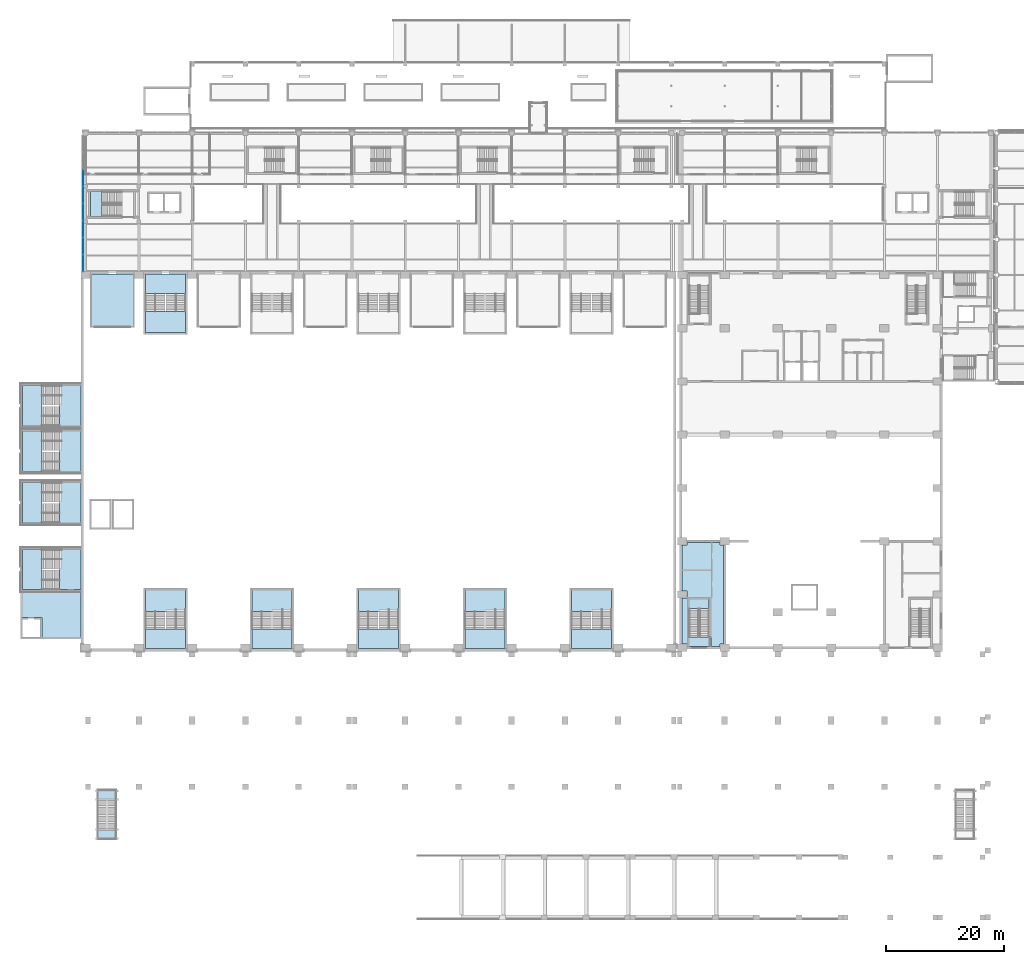
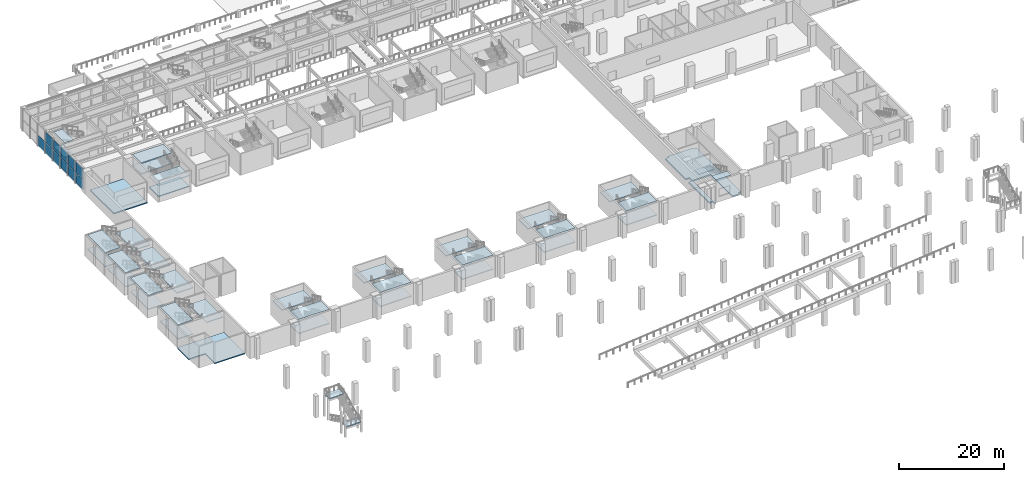
# One storey, part 27 of 67: 40 slabs, 11 plates, 24 elements without a shape of their own.
"""IFC4 building model written with IfcOpenShell, lengths in metres."""

from ifc_helpers import new_model, si_unit, direction, frame, origin, origin_2d, place, context, subcontext, project, spatial, polyline, rectangle, outline, extrude, material, layer, layer_set, type_object, element, aggregate, save


model = new_model("IFC4")

# Units and contexts
model_context = context("Model", 3, precision=1e-05, world=origin(), true_north=direction((0.0, 1.0)))
body_context = subcontext(model_context, "Body", "Model", "MODEL_VIEW")
ifc_project = project(units=[si_unit("LENGTHUNIT", "METRE"), si_unit("AREAUNIT", "SQUARE_METRE"), si_unit("VOLUMEUNIT", "CUBIC_METRE"), si_unit("PLANEANGLEUNIT", "RADIAN"), si_unit("MASSUNIT", "GRAM", prefix="KILO")], contexts=[model_context])

# Site, building, storey
site_placement = place(None, origin())
site = spatial("IfcSite", under=ifc_project, at=site_placement, CompositionType="ELEMENT")
building_placement = place(site_placement, origin())
building = spatial("IfcBuilding", under=site, at=building_placement, Name="Aravalli Gate Trade Fair Centre", CompositionType="ELEMENT")
storey_placement = place(building_placement, frame((0.0, 0.0, 5.0)))
storey = spatial("IfcBuildingStorey", under=building, at=storey_placement, Name="L01", CompositionType="ELEMENT", Elevation=5.0)

# Stair, slabs
ifc_material_1 = material(Name="Concrete M30", Category="concrete")
stair_type_1 = type_object("IfcStairType", Name="Concourse stair, 2000 wide", PredefinedType="HALF_TURN_STAIR", material=ifc_material_1)
stair_1_placement = place(storey_placement, origin())
stair_1 = element("IfcStair", 1, at=stair_1_placement, inside=storey, type_object=stair_type_1, Name="Stair WS L01", PredefinedType="HALF_TURN_STAIR")
ifc_layer_1 = layer(ifc_material_1, 0.199951171875)
ifc_layer_set_1 = layer_set([ifc_layer_1], Name="Concrete M30")
slab_type_1 = type_object("IfcSlabType", Name="Concourse stair landing 200", PredefinedType="LANDING", material=ifc_layer_set_1)
slab_1_placement = place(storey_placement, frame((0.0, 0.0, 1.466796875)))
slab_1 = element("IfcSlab", 2, at=slab_1_placement, type_object=slab_type_1, Name="STWS-L01 landing 1", PredefinedType="LANDING", context=body_context, shape_type="SweptSolid", body=[
    extrude(outline(polyline([(6.800048828125, 118.89990234375), (8.800048828125, 118.89990234375), (8.800048828125, 123.10009765625), (6.800048828125, 123.10009765625), (6.800048828125, 118.89990234375)])), origin(), (0.0, 0.0, 1.0), 0.199951171875),
])
slab_2_placement = place(storey_placement, frame((0.0, 0.0, 4.800048828125)))
slab_2 = element("IfcSlab", 3, at=slab_2_placement, type_object=slab_type_1, Name="STWS-L01 landing 3", PredefinedType="LANDING", context=body_context, shape_type="SweptSolid", body=[
    extrude(outline(polyline([(6.800048828125, 118.89990234375), (8.800048828125, 118.89990234375), (8.800048828125, 123.10009765625), (6.800048828125, 123.10009765625), (6.800048828125, 118.89990234375)])), origin(), (0.0, 0.0, 1.0), 0.199951171875),
])
aggregate(stair_1, [slab_1, slab_2])

ifc_material_2 = material(Name="Concrete M45", Category="concrete")
stair_type_2 = type_object("IfcStairType", Name="Congress exit stair", PredefinedType="HALF_TURN_STAIR", material=ifc_material_2)
stair_2_placement = place(storey_placement, origin())
stair_2 = element("IfcStair", 4, at=stair_2_placement, inside=storey, type_object=stair_type_2, Name="Stage Stair West L01", PredefinedType="HALF_TURN_STAIR")
ifc_layer_2 = layer(ifc_material_2, 0.199951171875)
ifc_layer_set_2 = layer_set([ifc_layer_2], Name="Concrete M45")
slab_type_2 = type_object("IfcSlabType", Name="Congress exit stair landing RC 200", PredefinedType="LANDING", material=ifc_layer_set_2)
slab_3_placement = place(storey_placement, frame((0.0, 0.0, 2.300048828125)))
slab_3 = element("IfcSlab", 5, at=slab_3_placement, type_object=slab_type_2, Name="GX1 landing 1", PredefinedType="LANDING", context=body_context, shape_type="SweptSolid", body=[
    extrude(outline(polyline([(108.0, 52.60009765625), (111.39990234375, 52.60009765625), (111.39990234375, 54.199951171875), (108.0, 54.199951171875), (108.0, 52.60009765625)])), origin(), (0.0, 0.0, 1.0), 0.199951171875),
])
slab_4_placement = place(storey_placement, frame((0.0, 0.0, 4.800048828125)))
slab_4 = element("IfcSlab", 6, at=slab_4_placement, type_object=slab_type_2, Name="GX1 landing 2", PredefinedType="LANDING", context=body_context, shape_type="SweptSolid", body=[
    extrude(outline(polyline([(108.0, 46.199951171875), (111.39990234375, 46.199951171875), (111.39990234375, 47.800048828125), (108.0, 47.800048828125), (108.0, 46.199951171875)])), origin(), (0.0, 0.0, 1.0), 0.199951171875),
])
aggregate(stair_2, [slab_3, slab_4])

# Slab
ifc_material_3 = material(Name="Concrete M40", Category="concrete")
ifc_layer_3 = layer(ifc_material_3, 0.300048828125)
ifc_layer_set_3 = layer_set([ifc_layer_3], Name="Concrete M40")
slab_type_3 = type_object("IfcSlabType", Name="Congress floor slab RC 300", PredefinedType="FLOOR", material=ifc_layer_set_3)
slab_5_placement = place(storey_placement, frame((0.0, 0.0, -0.300048828125)))
element("IfcSlab", 7, at=slab_5_placement, inside=storey, type_object=slab_type_3, Name="Stage wing floor L01 W", PredefinedType="FLOOR", context=body_context, shape_type="SweptSolid", body=[
    extrude(outline(polyline([(113.199951171875, 46.60009765625), (113.199951171875, 46.199951171875), (111.699951171875, 46.199951171875), (111.699951171875, 54.5), (107.699951171875, 54.5), (107.699951171875, 46.199951171875), (107.60009765625, 46.199951171875), (107.60009765625, 46.60009765625), (106.800048828125, 46.60009765625), (106.800048828125, 54.39990234375), (107.60009765625, 54.39990234375), (107.60009765625, 55.60009765625), (106.800048828125, 55.60009765625), (106.800048828125, 63.39990234375), (107.60009765625, 63.39990234375), (107.60009765625, 63.800048828125), (113.199951171875, 63.800048828125), (113.199951171875, 63.39990234375), (113.800048828125, 63.39990234375), (113.800048828125, 46.60009765625), (113.199951171875, 46.60009765625)])), origin(), (0.0, 0.0, 1.0), 0.300048828125),
])

# Curtain wall, plates
ifc_material_4 = material(Name="Aluminium and glass", Category="aluminium")
curtain_wall_type = type_object("IfcCurtainWallType", Name="Curtain wall 3000 module, tall", PredefinedType="NOTDEFINED", material=ifc_material_4)
curtain_wall_placement = place(storey_placement, origin())
curtain_wall = element("IfcCurtainWall", 8, at=curtain_wall_placement, inside=storey, type_object=curtain_wall_type, Name="Curtain wall west end L01", PredefinedType="NOTDEFINED")
ifc_material_5 = material(Name="Glass, double glazed", Category="glass")
ifc_layer_4 = layer(ifc_material_5, 0.028076171875)
ifc_layer_set_4 = layer_set([ifc_layer_4], Name="Glass, double glazed")
plate_type = type_object("IfcPlateType", Name="Curtain wall panel, double glazed 28", PredefinedType="CURTAIN_PANEL", material=ifc_layer_set_4)
plate_1_placement = place(storey_placement, frame((5.574951171875, 111.052490234375, 0.06005859375), z_axis=(0.0, 0.0, 1.0), x_axis=(0.0, 1.0, 0.0)))
plate_1 = element("IfcPlate", 9, at=plate_1_placement, type_object=plate_type, Name="CW3 panel 1.1", PredefinedType="CURTAIN_PANEL", context=body_context, shape_type="SweptSolid", body=[
    extrude(rectangle(XDim=2.784912109375, YDim=0.028076171875, at=origin_2d()), origin(), (0.0, 0.0, 1.0), 2.409912109375),
])
plate_2_placement = place(storey_placement, frame((5.574951171875, 111.052490234375, 2.5302734375), z_axis=(0.0, 0.0, 1.0), x_axis=(0.0, 1.0, 0.0)))
plate_2 = element("IfcPlate", 10, at=plate_2_placement, type_object=plate_type, Name="CW3 panel 1.2", PredefinedType="CURTAIN_PANEL", context=body_context, shape_type="SweptSolid", body=[
    extrude(rectangle(XDim=2.784912109375, YDim=0.028076171875, at=origin_2d()), origin(), (0.0, 0.0, 1.0), 2.409912109375),
])
plate_3_placement = place(storey_placement, frame((5.574951171875, 113.91259765625, 0.06005859375), z_axis=(0.0, 0.0, 1.0), x_axis=(0.0, 1.0, 0.0)))
plate_3 = element("IfcPlate", 11, at=plate_3_placement, type_object=plate_type, Name="CW3 panel 2.1", PredefinedType="CURTAIN_PANEL", context=body_context, shape_type="SweptSolid", body=[
    extrude(rectangle(XDim=2.81494140625, YDim=0.028076171875, at=origin_2d()), origin(), (0.0, 0.0, 1.0), 2.409912109375),
])
plate_4_placement = place(storey_placement, frame((5.574951171875, 113.91259765625, 2.5302734375), z_axis=(0.0, 0.0, 1.0), x_axis=(0.0, 1.0, 0.0)))
plate_4 = element("IfcPlate", 12, at=plate_4_placement, type_object=plate_type, Name="CW3 panel 2.2", PredefinedType="CURTAIN_PANEL", context=body_context, shape_type="SweptSolid", body=[
    extrude(rectangle(XDim=2.81494140625, YDim=0.028076171875, at=origin_2d()), origin(), (0.0, 0.0, 1.0), 2.409912109375),
])
plate_5_placement = place(storey_placement, frame((5.574951171875, 116.78759765625, 0.06005859375), z_axis=(0.0, 0.0, 1.0), x_axis=(0.0, 1.0, 0.0)))
plate_5 = element("IfcPlate", 13, at=plate_5_placement, type_object=plate_type, Name="CW3 panel 3.1", PredefinedType="CURTAIN_PANEL", context=body_context, shape_type="SweptSolid", body=[
    extrude(rectangle(XDim=2.81494140625, YDim=0.028076171875, at=origin_2d()), origin(), (0.0, 0.0, 1.0), 2.409912109375),
])
plate_6_placement = place(storey_placement, frame((5.574951171875, 116.78759765625, 2.5302734375), z_axis=(0.0, 0.0, 1.0), x_axis=(0.0, 1.0, 0.0)))
plate_6 = element("IfcPlate", 14, at=plate_6_placement, type_object=plate_type, Name="CW3 panel 3.2", PredefinedType="CURTAIN_PANEL", context=body_context, shape_type="SweptSolid", body=[
    extrude(rectangle(XDim=2.81494140625, YDim=0.028076171875, at=origin_2d()), origin(), (0.0, 0.0, 1.0), 2.409912109375),
])
plate_7_placement = place(storey_placement, frame((5.574951171875, 119.66259765625, 0.06005859375), z_axis=(0.0, 0.0, 1.0), x_axis=(0.0, 1.0, 0.0)))
plate_7 = element("IfcPlate", 15, at=plate_7_placement, type_object=plate_type, Name="CW3 panel 4.1", PredefinedType="CURTAIN_PANEL", context=body_context, shape_type="SweptSolid", body=[
    extrude(rectangle(XDim=2.81494140625, YDim=0.028076171875, at=origin_2d()), origin(), (0.0, 0.0, 1.0), 2.409912109375),
])
plate_8_placement = place(storey_placement, frame((5.574951171875, 119.66259765625, 2.5302734375), z_axis=(0.0, 0.0, 1.0), x_axis=(0.0, 1.0, 0.0)))
plate_8 = element("IfcPlate", 16, at=plate_8_placement, type_object=plate_type, Name="CW3 panel 4.2", PredefinedType="CURTAIN_PANEL", context=body_context, shape_type="SweptSolid", body=[
    extrude(rectangle(XDim=2.81494140625, YDim=0.028076171875, at=origin_2d()), origin(), (0.0, 0.0, 1.0), 2.409912109375),
])
plate_9_placement = place(storey_placement, frame((5.574951171875, 122.53759765625, 0.06005859375), z_axis=(0.0, 0.0, 1.0), x_axis=(0.0, 1.0, 0.0)))
plate_9 = element("IfcPlate", 17, at=plate_9_placement, type_object=plate_type, Name="CW3 panel 5.1", PredefinedType="CURTAIN_PANEL", context=body_context, shape_type="SweptSolid", body=[
    extrude(rectangle(XDim=2.81494140625, YDim=0.028076171875, at=origin_2d()), origin(), (0.0, 0.0, 1.0), 2.409912109375),
])
plate_10_placement = place(storey_placement, frame((5.574951171875, 122.53759765625, 2.5302734375), z_axis=(0.0, 0.0, 1.0), x_axis=(0.0, 1.0, 0.0)))
plate_10 = element("IfcPlate", 18, at=plate_10_placement, type_object=plate_type, Name="CW3 panel 5.2", PredefinedType="CURTAIN_PANEL", context=body_context, shape_type="SweptSolid", body=[
    extrude(rectangle(XDim=2.81494140625, YDim=0.028076171875, at=origin_2d()), origin(), (0.0, 0.0, 1.0), 2.409912109375),
])
plate_11_placement = place(storey_placement, frame((5.574951171875, 125.41259765625, 0.06005859375), z_axis=(0.0, 0.0, 1.0), x_axis=(0.0, 1.0, 0.0)))
plate_11 = element("IfcPlate", 19, at=plate_11_placement, type_object=plate_type, Name="CW3 panel 6.1", PredefinedType="CURTAIN_PANEL", context=body_context, shape_type="SweptSolid", body=[
    extrude(rectangle(XDim=2.81494140625, YDim=0.028076171875, at=origin_2d()), origin(), (0.0, 0.0, 1.0), 2.409912109375),
])
aggregate(curtain_wall, [plate_1, plate_2, plate_3, plate_4, plate_5, plate_6, plate_7, plate_8, plate_9, plate_10, plate_11])

# Slab
ifc_layer_5 = layer(ifc_material_3, 0.25)
ifc_layer_set_5 = layer_set([ifc_layer_5], Name="Concrete M40")
slab_type_4 = type_object("IfcSlabType", Name="Firefighting lobby floor slab RC 250", PredefinedType="FLOOR", material=ifc_layer_set_5)
slab_6_placement = place(storey_placement, frame((0.0, 0.0, -0.25)))
element("IfcSlab", 20, at=slab_6_placement, inside=storey, type_object=slab_type_4, Name="Firefighting lobby floor L01", PredefinedType="FLOOR", context=body_context, shape_type="SweptSolid", body=[
    extrude(outline(polyline([(-5.0, 55.5), (5.199951171875, 55.5), (5.199951171875, 47.5), (-1.39990234375, 47.5), (-1.39990234375, 51.10009765625), (-5.0, 51.10009765625), (-5.0, 55.5)])), origin(), (0.0, 0.0, 1.0), 0.25),
])

# Stair, slabs
stair_type_3 = type_object("IfcStairType", Name="Hall exit stair, three flights", PredefinedType="HALF_TURN_STAIR", material=ifc_material_3)
stair_3_placement = place(storey_placement, origin())
stair_3 = element("IfcStair", 21, at=stair_3_placement, inside=storey, type_object=stair_type_3, Name="Exit stair ST-S02 lane A L01", PredefinedType="HALF_TURN_STAIR")
ifc_layer_6 = layer(ifc_material_3, 0.199951171875)
ifc_layer_set_6 = layer_set([ifc_layer_6], Name="Concrete M40")
slab_type_5 = type_object("IfcSlabType", Name="Hall exit stair landing RC 200", PredefinedType="LANDING", material=ifc_layer_set_6)
slab_7_placement = place(storey_placement, frame((0.0, 0.0, 1.564697265625)))
slab_7 = element("IfcSlab", 22, at=slab_7_placement, type_object=slab_type_5, Name="ST-S02A landing 1", PredefinedType="LANDING", context=body_context, shape_type="SweptSolid", body=[
    extrude(outline(polyline([(16.10009765625, 45.85009765625), (22.89990234375, 45.85009765625), (22.89990234375, 49.14990234375), (16.10009765625, 49.14990234375), (16.10009765625, 45.85009765625)])), origin(), (0.0, 0.0, 1.0), 0.199951171875),
])
slab_8_placement = place(storey_placement, frame((0.0, 0.0, 4.800048828125)))
slab_8 = element("IfcSlab", 23, at=slab_8_placement, type_object=slab_type_5, Name="ST-S02A landing 2", PredefinedType="LANDING", context=body_context, shape_type="SweptSolid", body=[
    extrude(outline(polyline([(16.10009765625, 45.85009765625), (22.89990234375, 45.85009765625), (22.89990234375, 49.14990234375), (16.10009765625, 49.14990234375), (16.10009765625, 45.85009765625)])), origin(), (0.0, 0.0, 1.0), 0.199951171875),
])
aggregate(stair_3, [slab_7, slab_8])

# Stair, slab
stair_4_placement = place(storey_placement, origin())
stair_4 = element("IfcStair", 24, at=stair_4_placement, inside=storey, type_object=stair_type_3, Name="Exit stair ST-S02 lane B L01", PredefinedType="HALF_TURN_STAIR")
slab_9_placement = place(storey_placement, frame((0.0, 0.0, 3.182373046875)))
slab_9 = element("IfcSlab", 25, at=slab_9_placement, type_object=slab_type_5, Name="ST-S02B landing 1", PredefinedType="LANDING", context=body_context, shape_type="SweptSolid", body=[
    extrude(outline(polyline([(16.10009765625, 52.14990234375), (22.89990234375, 52.14990234375), (22.89990234375, 55.75), (16.10009765625, 55.75), (16.10009765625, 52.14990234375)])), origin(), (0.0, 0.0, 1.0), 0.199951171875),
])
aggregate(stair_4, [slab_9])

# Stair, slabs
stair_5_placement = place(storey_placement, origin())
stair_5 = element("IfcStair", 26, at=stair_5_placement, inside=storey, type_object=stair_type_3, Name="Exit stair ST-S04 lane A L01", PredefinedType="HALF_TURN_STAIR")
slab_10_placement = place(storey_placement, frame((0.0, 0.0, 1.564697265625)))
slab_10 = element("IfcSlab", 27, at=slab_10_placement, type_object=slab_type_5, Name="ST-S04A landing 1", PredefinedType="LANDING", context=body_context, shape_type="SweptSolid", body=[
    extrude(outline(polyline([(34.10009765625, 45.85009765625), (40.89990234375, 45.85009765625), (40.89990234375, 49.14990234375), (34.10009765625, 49.14990234375), (34.10009765625, 45.85009765625)])), origin(), (0.0, 0.0, 1.0), 0.199951171875),
])
slab_11_placement = place(storey_placement, frame((0.0, 0.0, 4.800048828125)))
slab_11 = element("IfcSlab", 28, at=slab_11_placement, type_object=slab_type_5, Name="ST-S04A landing 2", PredefinedType="LANDING", context=body_context, shape_type="SweptSolid", body=[
    extrude(outline(polyline([(34.10009765625, 45.85009765625), (40.89990234375, 45.85009765625), (40.89990234375, 49.14990234375), (34.10009765625, 49.14990234375), (34.10009765625, 45.85009765625)])), origin(), (0.0, 0.0, 1.0), 0.199951171875),
])
aggregate(stair_5, [slab_10, slab_11])

# Stair, slab
stair_6_placement = place(storey_placement, origin())
stair_6 = element("IfcStair", 29, at=stair_6_placement, inside=storey, type_object=stair_type_3, Name="Exit stair ST-S04 lane B L01", PredefinedType="HALF_TURN_STAIR")
slab_12_placement = place(storey_placement, frame((0.0, 0.0, 3.182373046875)))
slab_12 = element("IfcSlab", 30, at=slab_12_placement, type_object=slab_type_5, Name="ST-S04B landing 1", PredefinedType="LANDING", context=body_context, shape_type="SweptSolid", body=[
    extrude(outline(polyline([(34.10009765625, 52.14990234375), (40.89990234375, 52.14990234375), (40.89990234375, 55.75), (34.10009765625, 55.75), (34.10009765625, 52.14990234375)])), origin(), (0.0, 0.0, 1.0), 0.199951171875),
])
aggregate(stair_6, [slab_12])

# Stair, slabs
stair_7_placement = place(storey_placement, origin())
stair_7 = element("IfcStair", 31, at=stair_7_placement, inside=storey, type_object=stair_type_3, Name="Exit stair ST-S06 lane A L01", PredefinedType="HALF_TURN_STAIR")
slab_13_placement = place(storey_placement, frame((0.0, 0.0, 1.564697265625)))
slab_13 = element("IfcSlab", 32, at=slab_13_placement, type_object=slab_type_5, Name="ST-S06A landing 1", PredefinedType="LANDING", context=body_context, shape_type="SweptSolid", body=[
    extrude(outline(polyline([(52.10009765625, 45.85009765625), (58.89990234375, 45.85009765625), (58.89990234375, 49.14990234375), (52.10009765625, 49.14990234375), (52.10009765625, 45.85009765625)])), origin(), (0.0, 0.0, 1.0), 0.199951171875),
])
slab_14_placement = place(storey_placement, frame((0.0, 0.0, 4.800048828125)))
slab_14 = element("IfcSlab", 33, at=slab_14_placement, type_object=slab_type_5, Name="ST-S06A landing 2", PredefinedType="LANDING", context=body_context, shape_type="SweptSolid", body=[
    extrude(outline(polyline([(52.10009765625, 45.85009765625), (58.89990234375, 45.85009765625), (58.89990234375, 49.14990234375), (52.10009765625, 49.14990234375), (52.10009765625, 45.85009765625)])), origin(), (0.0, 0.0, 1.0), 0.199951171875),
])
aggregate(stair_7, [slab_13, slab_14])

# Stair, slab
stair_8_placement = place(storey_placement, origin())
stair_8 = element("IfcStair", 34, at=stair_8_placement, inside=storey, type_object=stair_type_3, Name="Exit stair ST-S06 lane B L01", PredefinedType="HALF_TURN_STAIR")
slab_15_placement = place(storey_placement, frame((0.0, 0.0, 3.182373046875)))
slab_15 = element("IfcSlab", 35, at=slab_15_placement, type_object=slab_type_5, Name="ST-S06B landing 1", PredefinedType="LANDING", context=body_context, shape_type="SweptSolid", body=[
    extrude(outline(polyline([(52.10009765625, 52.14990234375), (58.89990234375, 52.14990234375), (58.89990234375, 55.75), (52.10009765625, 55.75), (52.10009765625, 52.14990234375)])), origin(), (0.0, 0.0, 1.0), 0.199951171875),
])
aggregate(stair_8, [slab_15])

# Stair, slabs
stair_9_placement = place(storey_placement, origin())
stair_9 = element("IfcStair", 36, at=stair_9_placement, inside=storey, type_object=stair_type_3, Name="Exit stair ST-S08 lane A L01", PredefinedType="HALF_TURN_STAIR")
slab_16_placement = place(storey_placement, frame((0.0, 0.0, 1.564697265625)))
slab_16 = element("IfcSlab", 37, at=slab_16_placement, type_object=slab_type_5, Name="ST-S08A landing 1", PredefinedType="LANDING", context=body_context, shape_type="SweptSolid", body=[
    extrude(outline(polyline([(70.10009765625, 45.85009765625), (76.89990234375, 45.85009765625), (76.89990234375, 49.14990234375), (70.10009765625, 49.14990234375), (70.10009765625, 45.85009765625)])), origin(), (0.0, 0.0, 1.0), 0.199951171875),
])
slab_17_placement = place(storey_placement, frame((0.0, 0.0, 4.800048828125)))
slab_17 = element("IfcSlab", 38, at=slab_17_placement, type_object=slab_type_5, Name="ST-S08A landing 2", PredefinedType="LANDING", context=body_context, shape_type="SweptSolid", body=[
    extrude(outline(polyline([(70.10009765625, 45.85009765625), (76.89990234375, 45.85009765625), (76.89990234375, 49.14990234375), (70.10009765625, 49.14990234375), (70.10009765625, 45.85009765625)])), origin(), (0.0, 0.0, 1.0), 0.199951171875),
])
aggregate(stair_9, [slab_16, slab_17])

# Stair, slab
stair_10_placement = place(storey_placement, origin())
stair_10 = element("IfcStair", 39, at=stair_10_placement, inside=storey, type_object=stair_type_3, Name="Exit stair ST-S08 lane B L01", PredefinedType="HALF_TURN_STAIR")
slab_18_placement = place(storey_placement, frame((0.0, 0.0, 3.182373046875)))
slab_18 = element("IfcSlab", 40, at=slab_18_placement, type_object=slab_type_5, Name="ST-S08B landing 1", PredefinedType="LANDING", context=body_context, shape_type="SweptSolid", body=[
    extrude(outline(polyline([(70.10009765625, 52.14990234375), (76.89990234375, 52.14990234375), (76.89990234375, 55.75), (70.10009765625, 55.75), (70.10009765625, 52.14990234375)])), origin(), (0.0, 0.0, 1.0), 0.199951171875),
])
aggregate(stair_10, [slab_18])

# Stair, slabs
stair_11_placement = place(storey_placement, origin())
stair_11 = element("IfcStair", 41, at=stair_11_placement, inside=storey, type_object=stair_type_3, Name="Exit stair ST-S10 lane A L01", PredefinedType="HALF_TURN_STAIR")
slab_19_placement = place(storey_placement, frame((0.0, 0.0, 1.564697265625)))
slab_19 = element("IfcSlab", 42, at=slab_19_placement, type_object=slab_type_5, Name="ST-S10A landing 1", PredefinedType="LANDING", context=body_context, shape_type="SweptSolid", body=[
    extrude(outline(polyline([(88.10009765625, 45.85009765625), (94.89990234375, 45.85009765625), (94.89990234375, 49.14990234375), (88.10009765625, 49.14990234375), (88.10009765625, 45.85009765625)])), origin(), (0.0, 0.0, 1.0), 0.199951171875),
])
slab_20_placement = place(storey_placement, frame((0.0, 0.0, 4.800048828125)))
slab_20 = element("IfcSlab", 43, at=slab_20_placement, type_object=slab_type_5, Name="ST-S10A landing 2", PredefinedType="LANDING", context=body_context, shape_type="SweptSolid", body=[
    extrude(outline(polyline([(88.10009765625, 45.85009765625), (94.89990234375, 45.85009765625), (94.89990234375, 49.14990234375), (88.10009765625, 49.14990234375), (88.10009765625, 45.85009765625)])), origin(), (0.0, 0.0, 1.0), 0.199951171875),
])
aggregate(stair_11, [slab_19, slab_20])

# Stair, slab
stair_12_placement = place(storey_placement, origin())
stair_12 = element("IfcStair", 44, at=stair_12_placement, inside=storey, type_object=stair_type_3, Name="Exit stair ST-S10 lane B L01", PredefinedType="HALF_TURN_STAIR")
slab_21_placement = place(storey_placement, frame((0.0, 0.0, 3.182373046875)))
slab_21 = element("IfcSlab", 45, at=slab_21_placement, type_object=slab_type_5, Name="ST-S10B landing 1", PredefinedType="LANDING", context=body_context, shape_type="SweptSolid", body=[
    extrude(outline(polyline([(88.10009765625, 52.14990234375), (94.89990234375, 52.14990234375), (94.89990234375, 55.75), (88.10009765625, 55.75), (88.10009765625, 52.14990234375)])), origin(), (0.0, 0.0, 1.0), 0.199951171875),
])
aggregate(stair_12, [slab_21])

# Stair, slabs
stair_type_4 = type_object("IfcStairType", Name="Hall exit stair, four flights", PredefinedType="HALF_TURN_STAIR", material=ifc_material_3)
stair_13_placement = place(storey_placement, origin())
stair_13 = element("IfcStair", 46, at=stair_13_placement, inside=storey, type_object=stair_type_4, Name="Exit stair ST-N02 lane A L01", PredefinedType="HALF_TURN_STAIR")
slab_22_placement = place(storey_placement, frame((0.0, 0.0, 1.050048828125)))
slab_22 = element("IfcSlab", 47, at=slab_22_placement, type_object=slab_type_5, Name="ST-N02A landing 1", PredefinedType="LANDING", context=body_context, shape_type="SweptSolid", body=[
    extrude(outline(polyline([(16.10009765625, 102.85009765625), (22.89990234375, 102.85009765625), (22.89990234375, 99.25), (16.10009765625, 99.25), (16.10009765625, 102.85009765625)])), origin(), (0.0, 0.0, 1.0), 0.199951171875),
])
slab_23_placement = place(storey_placement, frame((0.0, 0.0, 3.550048828125)))
slab_23 = element("IfcSlab", 48, at=slab_23_placement, type_object=slab_type_5, Name="ST-N02A landing 2", PredefinedType="LANDING", context=body_context, shape_type="SweptSolid", body=[
    extrude(outline(polyline([(16.10009765625, 102.85009765625), (22.89990234375, 102.85009765625), (22.89990234375, 99.25), (16.10009765625, 99.25), (16.10009765625, 102.85009765625)])), origin(), (0.0, 0.0, 1.0), 0.199951171875),
])
aggregate(stair_13, [slab_22, slab_23])

stair_14_placement = place(storey_placement, origin())
stair_14 = element("IfcStair", 49, at=stair_14_placement, inside=storey, type_object=stair_type_4, Name="Exit stair ST-N02 lane B L01", PredefinedType="HALF_TURN_STAIR")
slab_24_placement = place(storey_placement, frame((0.0, 0.0, 2.300048828125)))
slab_24 = element("IfcSlab", 50, at=slab_24_placement, type_object=slab_type_5, Name="ST-N02B landing 1", PredefinedType="LANDING", context=body_context, shape_type="SweptSolid", body=[
    extrude(outline(polyline([(16.10009765625, 109.14990234375), (22.89990234375, 109.14990234375), (22.89990234375, 105.85009765625), (16.10009765625, 105.85009765625), (16.10009765625, 109.14990234375)])), origin(), (0.0, 0.0, 1.0), 0.199951171875),
])
slab_25_placement = place(storey_placement, frame((0.0, 0.0, 4.800048828125)))
slab_25 = element("IfcSlab", 51, at=slab_25_placement, type_object=slab_type_5, Name="ST-N02B landing 2", PredefinedType="LANDING", context=body_context, shape_type="SweptSolid", body=[
    extrude(outline(polyline([(16.10009765625, 109.14990234375), (22.89990234375, 109.14990234375), (22.89990234375, 105.85009765625), (16.10009765625, 105.85009765625), (16.10009765625, 109.14990234375)])), origin(), (0.0, 0.0, 1.0), 0.199951171875),
])
aggregate(stair_14, [slab_24, slab_25])

stair_15_placement = place(storey_placement, origin())
stair_15 = element("IfcStair", 52, at=stair_15_placement, inside=storey, type_object=stair_type_3, Name="Exit stair ST-W1 lane A L01", PredefinedType="HALF_TURN_STAIR")
slab_26_placement = place(storey_placement, frame((0.0, 0.0, 1.564697265625)))
slab_26 = element("IfcSlab", 53, at=slab_26_placement, type_object=slab_type_5, Name="ST-W1A landing 1", PredefinedType="LANDING", context=body_context, shape_type="SweptSolid", body=[
    extrude(outline(polyline([(-1.39990234375, 55.800048828125), (-1.39990234375, 62.60009765625), (-4.699951171875, 62.60009765625), (-4.699951171875, 55.800048828125), (-1.39990234375, 55.800048828125)])), origin(), (0.0, 0.0, 1.0), 0.199951171875),
])
slab_27_placement = place(storey_placement, frame((0.0, 0.0, 4.800048828125)))
slab_27 = element("IfcSlab", 54, at=slab_27_placement, type_object=slab_type_5, Name="ST-W1A landing 2", PredefinedType="LANDING", context=body_context, shape_type="SweptSolid", body=[
    extrude(outline(polyline([(-1.39990234375, 55.800048828125), (-1.39990234375, 62.60009765625), (-4.699951171875, 62.60009765625), (-4.699951171875, 55.800048828125), (-1.39990234375, 55.800048828125)])), origin(), (0.0, 0.0, 1.0), 0.199951171875),
])
aggregate(stair_15, [slab_26, slab_27])

# Stair, slab
stair_16_placement = place(storey_placement, origin())
stair_16 = element("IfcStair", 55, at=stair_16_placement, inside=storey, type_object=stair_type_3, Name="Exit stair ST-W1 lane B L01", PredefinedType="HALF_TURN_STAIR")
slab_28_placement = place(storey_placement, frame((0.0, 0.0, 3.182373046875)))
slab_28 = element("IfcSlab", 56, at=slab_28_placement, type_object=slab_type_5, Name="ST-W1B landing 1", PredefinedType="LANDING", context=body_context, shape_type="SweptSolid", body=[
    extrude(outline(polyline([(5.199951171875, 55.800048828125), (5.199951171875, 62.60009765625), (1.60009765625, 62.60009765625), (1.60009765625, 55.800048828125), (5.199951171875, 55.800048828125)])), origin(), (0.0, 0.0, 1.0), 0.199951171875),
])
aggregate(stair_16, [slab_28])

# Stair, slabs
stair_17_placement = place(storey_placement, origin())
stair_17 = element("IfcStair", 57, at=stair_17_placement, inside=storey, type_object=stair_type_3, Name="Exit stair ST-W2 lane A L01", PredefinedType="HALF_TURN_STAIR")
slab_29_placement = place(storey_placement, frame((0.0, 0.0, 1.564697265625)))
slab_29 = element("IfcSlab", 58, at=slab_29_placement, type_object=slab_type_5, Name="ST-W2A landing 1", PredefinedType="LANDING", context=body_context, shape_type="SweptSolid", body=[
    extrude(outline(polyline([(-1.39990234375, 75.800048828125), (-1.39990234375, 82.60009765625), (-4.699951171875, 82.60009765625), (-4.699951171875, 75.800048828125), (-1.39990234375, 75.800048828125)])), origin(), (0.0, 0.0, 1.0), 0.199951171875),
])
slab_30_placement = place(storey_placement, frame((0.0, 0.0, 4.800048828125)))
slab_30 = element("IfcSlab", 59, at=slab_30_placement, type_object=slab_type_5, Name="ST-W2A landing 2", PredefinedType="LANDING", context=body_context, shape_type="SweptSolid", body=[
    extrude(outline(polyline([(-1.39990234375, 75.800048828125), (-1.39990234375, 82.60009765625), (-4.699951171875, 82.60009765625), (-4.699951171875, 75.800048828125), (-1.39990234375, 75.800048828125)])), origin(), (0.0, 0.0, 1.0), 0.199951171875),
])
aggregate(stair_17, [slab_29, slab_30])

# Stair, slab
stair_18_placement = place(storey_placement, origin())
stair_18 = element("IfcStair", 60, at=stair_18_placement, inside=storey, type_object=stair_type_3, Name="Exit stair ST-W2 lane B L01", PredefinedType="HALF_TURN_STAIR")
slab_31_placement = place(storey_placement, frame((0.0, 0.0, 3.182373046875)))
slab_31 = element("IfcSlab", 61, at=slab_31_placement, type_object=slab_type_5, Name="ST-W2B landing 1", PredefinedType="LANDING", context=body_context, shape_type="SweptSolid", body=[
    extrude(outline(polyline([(5.199951171875, 75.800048828125), (5.199951171875, 82.60009765625), (1.60009765625, 82.60009765625), (1.60009765625, 75.800048828125), (5.199951171875, 75.800048828125)])), origin(), (0.0, 0.0, 1.0), 0.199951171875),
])
aggregate(stair_18, [slab_31])

# Stair, slabs
stair_19_placement = place(storey_placement, origin())
stair_19 = element("IfcStair", 62, at=stair_19_placement, inside=storey, type_object=stair_type_3, Name="Exit stair ST-W4 lane A L01", PredefinedType="HALF_TURN_STAIR")
slab_32_placement = place(storey_placement, frame((0.0, 0.0, 1.564697265625)))
slab_32 = element("IfcSlab", 63, at=slab_32_placement, type_object=slab_type_5, Name="ST-W4A landing 1", PredefinedType="LANDING", context=body_context, shape_type="SweptSolid", body=[
    extrude(outline(polyline([(-1.39990234375, 67.10009765625), (-1.39990234375, 73.89990234375), (-4.699951171875, 73.89990234375), (-4.699951171875, 67.10009765625), (-1.39990234375, 67.10009765625)])), origin(), (0.0, 0.0, 1.0), 0.199951171875),
])
slab_33_placement = place(storey_placement, frame((0.0, 0.0, 4.800048828125)))
slab_33 = element("IfcSlab", 64, at=slab_33_placement, type_object=slab_type_5, Name="ST-W4A landing 2", PredefinedType="LANDING", context=body_context, shape_type="SweptSolid", body=[
    extrude(outline(polyline([(-1.39990234375, 67.10009765625), (-1.39990234375, 73.89990234375), (-4.699951171875, 73.89990234375), (-4.699951171875, 67.10009765625), (-1.39990234375, 67.10009765625)])), origin(), (0.0, 0.0, 1.0), 0.199951171875),
])
aggregate(stair_19, [slab_32, slab_33])

# Stair, slab
stair_20_placement = place(storey_placement, origin())
stair_20 = element("IfcStair", 65, at=stair_20_placement, inside=storey, type_object=stair_type_3, Name="Exit stair ST-W4 lane B L01", PredefinedType="HALF_TURN_STAIR")
slab_34_placement = place(storey_placement, frame((0.0, 0.0, 3.182373046875)))
slab_34 = element("IfcSlab", 66, at=slab_34_placement, type_object=slab_type_5, Name="ST-W4B landing 1", PredefinedType="LANDING", context=body_context, shape_type="SweptSolid", body=[
    extrude(outline(polyline([(5.199951171875, 67.10009765625), (5.199951171875, 73.89990234375), (1.60009765625, 73.89990234375), (1.60009765625, 67.10009765625), (5.199951171875, 67.10009765625)])), origin(), (0.0, 0.0, 1.0), 0.199951171875),
])
aggregate(stair_20, [slab_34])

# Stair, slabs
stair_21_placement = place(storey_placement, origin())
stair_21 = element("IfcStair", 67, at=stair_21_placement, inside=storey, type_object=stair_type_3, Name="Exit stair ST-W5 lane A L01", PredefinedType="HALF_TURN_STAIR")
slab_35_placement = place(storey_placement, frame((0.0, 0.0, 1.564697265625)))
slab_35 = element("IfcSlab", 68, at=slab_35_placement, type_object=slab_type_5, Name="ST-W5A landing 1", PredefinedType="LANDING", context=body_context, shape_type="SweptSolid", body=[
    extrude(outline(polyline([(-1.39990234375, 83.5), (-1.39990234375, 90.300048828125), (-4.699951171875, 90.300048828125), (-4.699951171875, 83.5), (-1.39990234375, 83.5)])), origin(), (0.0, 0.0, 1.0), 0.199951171875),
])
slab_36_placement = place(storey_placement, frame((0.0, 0.0, 4.800048828125)))
slab_36 = element("IfcSlab", 69, at=slab_36_placement, type_object=slab_type_5, Name="ST-W5A landing 2", PredefinedType="LANDING", context=body_context, shape_type="SweptSolid", body=[
    extrude(outline(polyline([(-1.39990234375, 83.5), (-1.39990234375, 90.300048828125), (-4.699951171875, 90.300048828125), (-4.699951171875, 83.5), (-1.39990234375, 83.5)])), origin(), (0.0, 0.0, 1.0), 0.199951171875),
])
aggregate(stair_21, [slab_35, slab_36])

# Stair, slab
stair_22_placement = place(storey_placement, origin())
stair_22 = element("IfcStair", 70, at=stair_22_placement, inside=storey, type_object=stair_type_3, Name="Exit stair ST-W5 lane B L01", PredefinedType="HALF_TURN_STAIR")
slab_37_placement = place(storey_placement, frame((0.0, 0.0, 3.182373046875)))
slab_37 = element("IfcSlab", 71, at=slab_37_placement, type_object=slab_type_5, Name="ST-W5B landing 1", PredefinedType="LANDING", context=body_context, shape_type="SweptSolid", body=[
    extrude(outline(polyline([(5.199951171875, 83.5), (5.199951171875, 90.300048828125), (1.60009765625, 90.300048828125), (1.60009765625, 83.5), (5.199951171875, 83.5)])), origin(), (0.0, 0.0, 1.0), 0.199951171875),
])
aggregate(stair_22, [slab_37])

# Slab
ifc_layer_7 = layer(ifc_material_3, 0.25)
ifc_layer_set_7 = layer_set([ifc_layer_7], Name="Concrete M40")
slab_type_6 = type_object("IfcSlabType", Name="Meeting room floor slab RC 250", PredefinedType="FLOOR", material=ifc_layer_set_7)
slab_38_placement = place(storey_placement, frame((0.0, 0.0, -0.25)))
element("IfcSlab", 72, at=slab_38_placement, inside=storey, type_object=slab_type_6, Name="Meeting room 1 floor", PredefinedType="FLOOR", context=body_context, shape_type="SweptSolid", body=[
    extrude(outline(polyline([(6.800048828125, 100.14990234375), (14.199951171875, 100.14990234375), (14.199951171875, 109.14990234375), (6.800048828125, 109.14990234375), (6.800048828125, 100.14990234375)])), origin(), (0.0, 0.0, 1.0), 0.25),
])

# Stair, slabs
stair_type_5 = type_object("IfcStairType", Name="External stair 1500", PredefinedType="HALF_TURN_STAIR", material=ifc_material_2)
stair_23_placement = place(storey_placement, origin())
stair_23 = element("IfcStair", 73, at=stair_23_placement, inside=storey, type_object=stair_type_5, Name="External stair 1 L01", PredefinedType="HALF_TURN_STAIR")
ifc_layer_8 = layer(ifc_material_2, 0.25)
ifc_layer_set_8 = layer_set([ifc_layer_8], Name="Concrete M45")
slab_type_7 = type_object("IfcSlabType", Name="Stair landing slab RC 250", PredefinedType="LANDING", material=ifc_layer_set_8)
slab_39_placement = place(storey_placement, frame((0.0, 0.0, 2.300048828125)))
slab_39 = element("IfcSlab", 74, at=slab_39_placement, type_object=slab_type_7, Name="SST2 landing 1", PredefinedType="LANDING", context=body_context, shape_type="SweptSolid", body=[
    extrude(outline(polyline([(8.0, 13.60009765625), (11.199951171875, 13.60009765625), (11.199951171875, 15.39990234375), (8.0, 15.39990234375), (8.0, 13.60009765625)])), origin(), (0.0, 0.0, 1.0), 0.199951171875),
])
slab_40_placement = place(storey_placement, frame((0.0, 0.0, 4.800048828125)))
slab_40 = element("IfcSlab", 75, at=slab_40_placement, type_object=slab_type_7, Name="SST2 landing 2", PredefinedType="LANDING", context=body_context, shape_type="SweptSolid", body=[
    extrude(outline(polyline([(8.0, 20.199951171875), (11.199951171875, 20.199951171875), (11.199951171875, 22.0), (8.0, 22.0), (8.0, 20.199951171875)])), origin(), (0.0, 0.0, 1.0), 0.199951171875),
])
aggregate(stair_23, [slab_39, slab_40])

save(model, "model.ifc")
